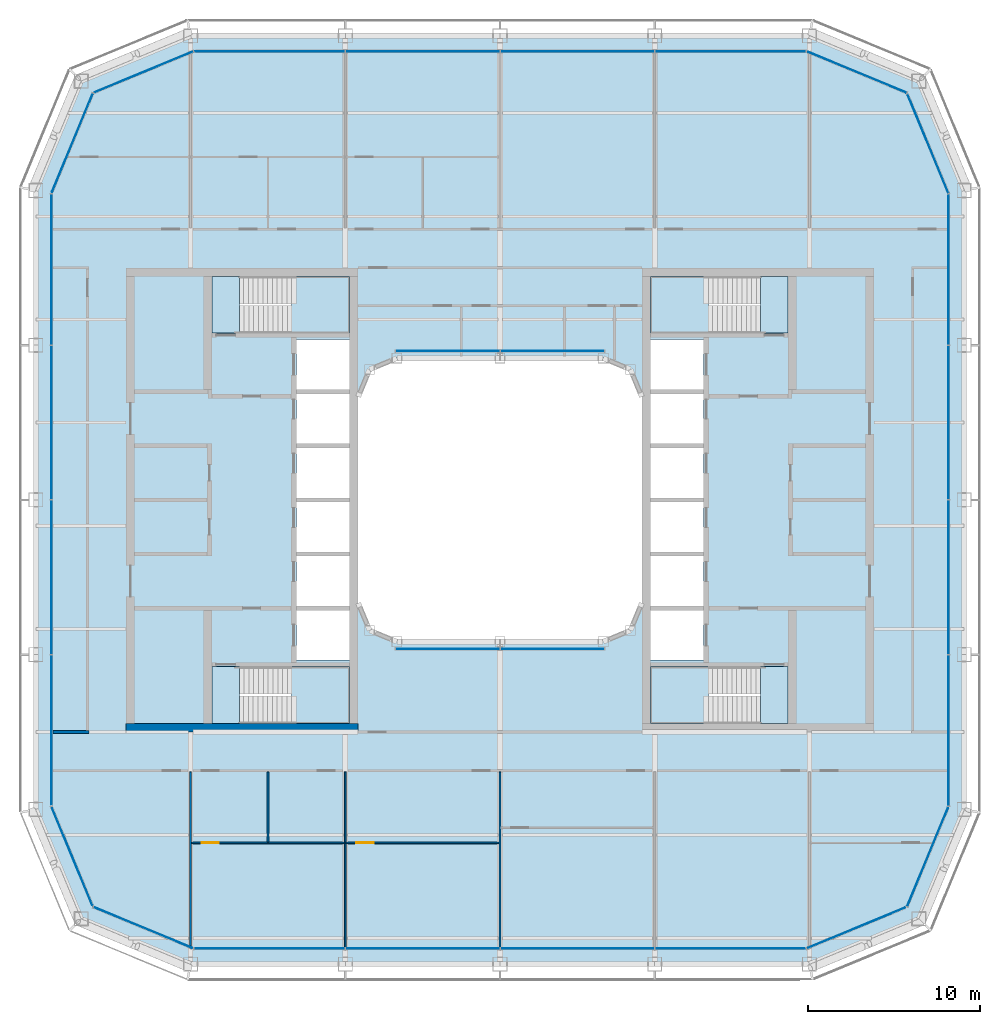
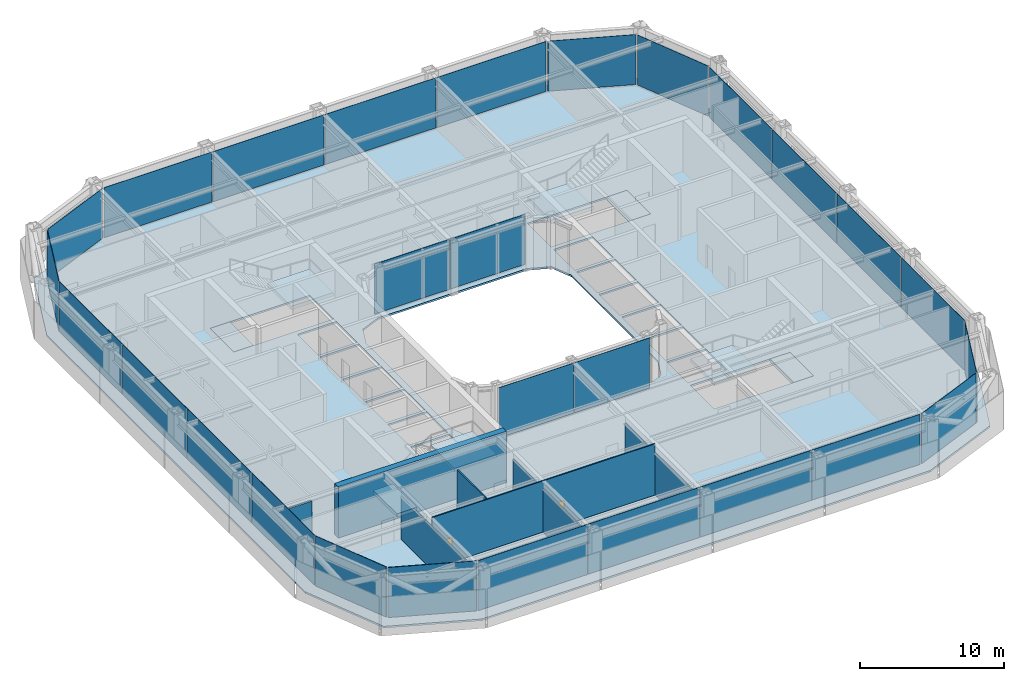
# One storey, part 11 of 19: 28 plates, 9 slabs, 8 walls, 2 doors, 2 openings, 18 elements without a shape of their own.
"""IFC4 building model written with IfcOpenShell, lengths in metres."""

import ifcopenshell
import ifcopenshell.guid

model = None  # the IFC model being written
_history = None  # IfcOwnerHistory: only IFC2X3 demands one
_inside = {}  # id of a spatial element -> (the spatial element, [elements in it])
_under = {}  # id of a project, library or spatial element -> (it, [spatial elements below it])
_declared = {}  # id of a project -> (the project, [libraries it declares])
_typed = {}  # id of a type object -> (the type object, [elements of that type])
_made_of = {}  # id of a material, layer set ... -> (it, [elements and type objects made of it])


def new_model(schema):
    """Start an empty IFC model of exactly this schema.

    Asked for "IFC4X3", IfcOpenShell would pick the latest addendum, in which some entities
    have other attributes; the version numbers below select the first issue.
    IFC2X3 requires an IfcOwnerHistory on every rooted entity: one is made here for all.
    """
    global model, _history
    if schema == "IFC4X3":
        model = ifcopenshell.file(schema_version=(4, 3, 0, 0))
    else:
        model = ifcopenshell.file(schema=schema)
    _inside.clear()
    _under.clear()
    _declared.clear()
    _typed.clear()
    _made_of.clear()
    _history = None
    if model.schema == "IFC2X3":
        org = make("IfcOrganization", Name="unknown")
        user = make(
            "IfcPersonAndOrganization",
            ThePerson=make("IfcPerson", FamilyName="unknown"),
            TheOrganization=org,
        )
        app = make(
            "IfcApplication",
            ApplicationDeveloper=org,
            Version="unknown",
            ApplicationFullName="unknown",
            ApplicationIdentifier="unknown",
        )
        _history = make(
            "IfcOwnerHistory",
            OwningUser=user,
            OwningApplication=app,
            ChangeAction="ADDED",
            CreationDate=0,
        )
    return model


def make(cls, **values):
    """One entity of the class cls with the attributes given. An attribute that is None is left unset."""
    return model.create_entity(
        cls, **{name: value for name, value in values.items() if value is not None}
    )


def rooted(cls, **values):
    """An entity with a GlobalId (a new one), such as an element, a storey or a relation."""
    return make(cls, GlobalId=ifcopenshell.guid.new(), OwnerHistory=_history, **values)


def si_unit(unit_type, name, prefix=None):
    """IfcSIUnit, for example si_unit("LENGTHUNIT", "METRE", prefix="MILLI")."""
    return make("IfcSIUnit", UnitType=unit_type, Prefix=prefix, Name=name)


def assignment(units):
    """IfcUnitAssignment: the units of a project."""
    return None if units is None else make("IfcUnitAssignment", Units=units)


def point(xyz):
    """IfcCartesianPoint."""
    return None if xyz is None else make("IfcCartesianPoint", Coordinates=xyz)


def direction(xyz):
    """IfcDirection."""
    return None if xyz is None else make("IfcDirection", DirectionRatios=xyz)


def frame(location, z_axis=None, x_axis=None):
    """IfcAxis2Placement3D, a coordinate frame: its origin and axes. An axis left out is left unset."""
    return make(
        "IfcAxis2Placement3D",
        Location=point(location),
        Axis=direction(z_axis),
        RefDirection=direction(x_axis),
    )


def frame_2d(location, x_axis=None):
    """IfcAxis2Placement2D, a coordinate frame in the plane: its origin and x axis."""
    return make(
        "IfcAxis2Placement2D", Location=point(location), RefDirection=direction(x_axis)
    )


def origin():
    """The frame at (0, 0, 0) with its axes left unset."""
    return frame((0.0, 0.0, 0.0))


def origin_2d():
    """The frame at (0, 0) in the plane with its x axis left unset."""
    return frame_2d((0.0, 0.0))


def place(relative_to, where):
    """IfcLocalPlacement: puts the frame where relative to a parent placement (None: the world)."""
    return make(
        "IfcLocalPlacement", PlacementRelTo=relative_to, RelativePlacement=where
    )


def context(
    kind, dimensions, precision=None, world=None, true_north=None, identifier=None
):
    """IfcGeometricRepresentationContext, for example the 3D "Model" context."""
    return make(
        "IfcGeometricRepresentationContext",
        ContextIdentifier=identifier,
        ContextType=kind,
        CoordinateSpaceDimension=dimensions,
        Precision=precision,
        WorldCoordinateSystem=world,
        TrueNorth=true_north,
    )


def subcontext(parent, identifier, kind, view, scale=None):
    """IfcGeometricRepresentationSubContext, for example "Body" below "Model"."""
    return make(
        "IfcGeometricRepresentationSubContext",
        ContextIdentifier=identifier,
        ContextType=kind,
        ParentContext=parent,
        TargetScale=scale,
        TargetView=view,
    )


def project(units=None, contexts=None):
    """IfcProject with its units and contexts."""
    return rooted(
        "IfcProject",
        Name="project",
        RepresentationContexts=contexts,
        UnitsInContext=assignment(units),
    )


def spatial(cls, under=None, at=None, **own):
    """A site, building, storey or space (cls), placed at a placement, below another one or the project."""
    s = rooted(cls, ObjectPlacement=at, **own)
    if under is not None:
        _under.setdefault(under.id(), (under, []))[1].append(s)
    return s


def polyline(points):
    """IfcPolyline through the points."""
    return make("IfcPolyline", Points=[point(p) for p in points])


def profile(cls, at=None, kind="AREA", **sizes):
    """A parametric profile (cls). Its sizes go by their IFC names, for example OverallWidth=200.0."""
    return make(cls, ProfileType=kind, Position=at, **sizes)


def rectangle(**sizes):
    """IfcRectangleProfileDef."""
    return profile("IfcRectangleProfileDef", **sizes)


def outline(outer, holes=None, kind="AREA"):
    """IfcArbitraryClosedProfileDef: a profile drawn as a closed curve; with holes, ...WithVoids."""
    if holes is None:
        return make("IfcArbitraryClosedProfileDef", ProfileType=kind, OuterCurve=outer)
    return make(
        "IfcArbitraryProfileDefWithVoids",
        ProfileType=kind,
        OuterCurve=outer,
        InnerCurves=holes,
    )


def extrude(swept, where, along, depth):
    """IfcExtrudedAreaSolid: the profile swept, set in the frame where, extruded along a direction by depth."""
    return make(
        "IfcExtrudedAreaSolid",
        SweptArea=swept,
        Position=where,
        ExtrudedDirection=direction(along),
        Depth=depth,
    )


def shape(context_of_items, identifier, shape_type, items):
    """IfcShapeRepresentation: the items that make up one representation, for example the "Body"."""
    return make(
        "IfcShapeRepresentation",
        ContextOfItems=context_of_items,
        RepresentationIdentifier=identifier,
        RepresentationType=shape_type,
        Items=items,
    )


def material(Name=None, Category=None):
    """IfcMaterial."""
    return make("IfcMaterial", Name=Name, Category=Category)


def layer(
    of_material, thickness, ventilated=None, Name=None, Category=None, Priority=None
):
    """IfcMaterialLayer: one layer of a wall or slab, of a material (None: an air gap)."""
    return make(
        "IfcMaterialLayer",
        Material=of_material,
        LayerThickness=thickness,
        IsVentilated=ventilated,
        Name=Name,
        Category=Category,
        Priority=Priority,
    )


def layer_set(layers, Name=None):
    """IfcMaterialLayerSet."""
    return make("IfcMaterialLayerSet", MaterialLayers=layers, LayerSetName=Name)


def made_of(thing, what):
    """Note that an element or type object is made of a material, layer set ...; save() writes the relation."""
    if what is not None:
        _made_of.setdefault(what.id(), (what, []))[1].append(thing)
    return thing


def type_object(cls, material=None, **own):
    """A type object (cls), such as IfcWallType, which elements share."""
    return made_of(rooted(cls, **own), material)


def element(
    cls,
    number,
    at=None,
    inside=None,
    cuts=None,
    type_object=None,
    material=None,
    context=None,
    identifier="Body",
    shape_type=None,
    held_by="IfcProductDefinitionShape",
    body=None,
    shapes=None,
    **own,
):
    """One element of the class cls, such as IfcWall. Its Tag is "e" and its number.

    at: its placement. inside: the storey or other place that contains it. cuts: it is an
    opening in that element (IfcRelVoidsElement). A single representation is given by context,
    identifier, shape_type and body (its items); several are given by shapes. held_by: the class
    of the entity that holds the representations. save() writes the other relations.
    """
    e = rooted(cls, Tag="e%d" % number, ObjectPlacement=at, **own)
    if body is not None:
        shapes = [shape(context, identifier, shape_type, body)]
    if shapes is not None:
        e.Representation = make(held_by, Representations=shapes)
    if inside is not None:
        _inside.setdefault(inside.id(), (inside, []))[1].append(e)
    if cuts is not None:
        rooted(
            "IfcRelVoidsElement", RelatingBuildingElement=cuts, RelatedOpeningElement=e
        )
    if type_object is not None:
        _typed.setdefault(type_object.id(), (type_object, []))[1].append(e)
    return made_of(e, material)


def fill(opening, filler):
    """IfcRelFillsElement: the door or window that sits in an opening."""
    return rooted(
        "IfcRelFillsElement",
        RelatingOpeningElement=opening,
        RelatedBuildingElement=filler,
    )


def aggregate(whole, parts):
    """IfcRelAggregates: a whole, such as a stair, and the parts it consists of."""
    return rooted("IfcRelAggregates", RelatingObject=whole, RelatedObjects=parts)


def save(model, path):
    """Write the relations noted so far, then the file.

    IfcRelAggregates (storeys below a building ...), IfcRelContainedInSpatialStructure (elements
    in a storey), IfcRelDefinesByType, IfcRelAssociatesMaterial and IfcRelDeclares: one each for
    every whole, place, type object, material and project.
    """
    for whole, parts in _under.values():
        aggregate(whole, parts)
    for where, things in _inside.values():
        rooted(
            "IfcRelContainedInSpatialStructure",
            RelatedElements=things,
            RelatingStructure=where,
        )
    for kind, things in _typed.values():
        rooted("IfcRelDefinesByType", RelatedObjects=things, RelatingType=kind)
    for what, things in _made_of.values():
        rooted("IfcRelAssociatesMaterial", RelatedObjects=things, RelatingMaterial=what)
    for by, libraries in _declared.values():
        rooted("IfcRelDeclares", RelatingContext=by, RelatedDefinitions=libraries)
    model.write(path)


model = new_model("IFC4")

# Units and contexts
model_context = context("Model", 3, precision=1e-05, world=origin(), true_north=direction((0.0, 1.0)))
body_context = subcontext(model_context, "Body", "Model", "MODEL_VIEW")
ifc_project = project(units=[si_unit("LENGTHUNIT", "METRE"), si_unit("AREAUNIT", "SQUARE_METRE"), si_unit("VOLUMEUNIT", "CUBIC_METRE"), si_unit("PLANEANGLEUNIT", "RADIAN"), si_unit("MASSUNIT", "GRAM", prefix="KILO")], contexts=[model_context])

# Site, building, storey
site_placement = place(None, origin())
site = spatial("IfcSite", under=ifc_project, at=site_placement, CompositionType="ELEMENT")
building_placement = place(site_placement, origin())
building = spatial("IfcBuilding", under=site, at=building_placement, Name="Siwar Civic Tower", CompositionType="ELEMENT")
storey_placement = place(building_placement, frame((0.0, 0.0, 228.699951171875)))
storey = spatial("IfcBuildingStorey", under=building, at=storey_placement, Name="L49", CompositionType="ELEMENT", Elevation=228.699951171875)

# Stair, slabs
ifc_material_1 = material(Name="Concrete C40/50", Category="concrete")
stair_type = type_object("IfcStairType", Name="CORE-STAIR", PredefinedType="TWO_STRAIGHT_RUN_STAIR", material=ifc_material_1)
stair_1_placement = place(storey_placement, origin())
stair_1 = element("IfcStair", 1, at=stair_1_placement, inside=storey, type_object=stair_type, Name="Exit stair ST1", PredefinedType="TWO_STRAIGHT_RUN_STAIR")
ifc_material_2 = material(Name="Concrete C40/50", Category="concrete")
ifc_layer_1 = layer(ifc_material_2, 0.300048828125)
ifc_layer_set_1 = layer_set([ifc_layer_1], Name="Concrete C40/50")
slab_type_1 = type_object("IfcSlabType", Name="CORE-STAIR-LANDING", PredefinedType="LANDING", material=ifc_layer_set_1)
slab_1_placement = place(storey_placement, frame((0.0, 0.0, -0.300048828125)))
slab_1 = element("IfcSlab", 2, at=slab_1_placement, type_object=slab_type_1, Name="ST1 landing 1", PredefinedType="LANDING", context=body_context, shape_type="SweptSolid", body=[
    extrude(outline(polyline([(-15.14990234375, 13.0), (-16.75, 13.0), (-16.75, 9.699951171875), (-15.14990234375, 9.699951171875), (-15.14990234375, 13.0)])), origin(), (0.0, 0.0, 1.0), 0.300048828125),
])
slab_2_placement = place(storey_placement, frame((0.0, 0.0, 1.949951171875)))
slab_2 = element("IfcSlab", 3, at=slab_2_placement, type_object=slab_type_1, Name="ST1 landing 2", PredefinedType="LANDING", context=body_context, shape_type="SweptSolid", body=[
    extrude(outline(polyline([(-8.75, 13.0), (-12.139892578125, 13.0), (-12.139892578125, 9.699951171875), (-8.75, 9.699951171875), (-8.75, 13.0)])), origin(), (0.0, 0.0, 1.0), 0.300048828125),
])
aggregate(stair_1, [slab_1, slab_2])

stair_2_placement = place(storey_placement, origin())
stair_2 = element("IfcStair", 4, at=stair_2_placement, inside=storey, type_object=stair_type, Name="Exit stair ST2", PredefinedType="TWO_STRAIGHT_RUN_STAIR")
slab_3_placement = place(storey_placement, frame((0.0, 0.0, -0.300048828125)))
slab_3 = element("IfcSlab", 5, at=slab_3_placement, type_object=slab_type_1, Name="ST2 landing 1", PredefinedType="LANDING", context=body_context, shape_type="SweptSolid", body=[
    extrude(outline(polyline([(-15.14990234375, -9.699951171875), (-16.75, -9.699951171875), (-16.75, -13.0), (-15.14990234375, -13.0), (-15.14990234375, -9.699951171875)])), origin(), (0.0, 0.0, 1.0), 0.300048828125),
])
slab_4_placement = place(storey_placement, frame((0.0, 0.0, 1.949951171875)))
slab_4 = element("IfcSlab", 6, at=slab_4_placement, type_object=slab_type_1, Name="ST2 landing 2", PredefinedType="LANDING", context=body_context, shape_type="SweptSolid", body=[
    extrude(outline(polyline([(-8.75, -9.699951171875), (-12.139892578125, -9.699951171875), (-12.139892578125, -13.0), (-8.75, -13.0), (-8.75, -9.699951171875)])), origin(), (0.0, 0.0, 1.0), 0.300048828125),
])
aggregate(stair_2, [slab_3, slab_4])

stair_3_placement = place(storey_placement, origin())
stair_3 = element("IfcStair", 7, at=stair_3_placement, inside=storey, type_object=stair_type, Name="Exit stair ST3", PredefinedType="TWO_STRAIGHT_RUN_STAIR")
slab_5_placement = place(storey_placement, frame((0.0, 0.0, -0.300048828125)))
slab_5 = element("IfcSlab", 8, at=slab_5_placement, type_object=slab_type_1, Name="ST3 landing 1", PredefinedType="LANDING", context=body_context, shape_type="SweptSolid", body=[
    extrude(outline(polyline([(15.14990234375, 9.699951171875), (16.75, 9.699951171875), (16.75, 13.0), (15.14990234375, 13.0), (15.14990234375, 9.699951171875)])), origin(), (0.0, 0.0, 1.0), 0.300048828125),
])
slab_6_placement = place(storey_placement, frame((0.0, 0.0, 1.949951171875)))
slab_6 = element("IfcSlab", 9, at=slab_6_placement, type_object=slab_type_1, Name="ST3 landing 2", PredefinedType="LANDING", context=body_context, shape_type="SweptSolid", body=[
    extrude(outline(polyline([(8.75, 9.699951171875), (12.139892578125, 9.699951171875), (12.139892578125, 13.0), (8.75, 13.0), (8.75, 9.699951171875)])), origin(), (0.0, 0.0, 1.0), 0.300048828125),
])
aggregate(stair_3, [slab_5, slab_6])

stair_4_placement = place(storey_placement, origin())
stair_4 = element("IfcStair", 10, at=stair_4_placement, inside=storey, type_object=stair_type, Name="Exit stair ST4", PredefinedType="TWO_STRAIGHT_RUN_STAIR")
slab_7_placement = place(storey_placement, frame((0.0, 0.0, -0.300048828125)))
slab_7 = element("IfcSlab", 11, at=slab_7_placement, type_object=slab_type_1, Name="ST4 landing 1", PredefinedType="LANDING", context=body_context, shape_type="SweptSolid", body=[
    extrude(outline(polyline([(15.14990234375, -13.0), (16.75, -13.0), (16.75, -9.699951171875), (15.14990234375, -9.699951171875), (15.14990234375, -13.0)])), origin(), (0.0, 0.0, 1.0), 0.300048828125),
])
slab_8_placement = place(storey_placement, frame((0.0, 0.0, 1.949951171875)))
slab_8 = element("IfcSlab", 12, at=slab_8_placement, type_object=slab_type_1, Name="ST4 landing 2", PredefinedType="LANDING", context=body_context, shape_type="SweptSolid", body=[
    extrude(outline(polyline([(8.75, -13.0), (12.139892578125, -13.0), (12.139892578125, -9.699951171875), (8.75, -9.699951171875), (8.75, -13.0)])), origin(), (0.0, 0.0, 1.0), 0.300048828125),
])
aggregate(stair_4, [slab_7, slab_8])

# Curtain wall, plates
ifc_material_3 = material(Name="Aluminium and glass", Category="aluminium")
ifc_layer_2 = layer(ifc_material_3, 0.179931640625)
ifc_layer_set_2 = layer_set([ifc_layer_2], Name="Aluminium and glass")
curtain_wall_type_1 = type_object("IfcCurtainWallType", Name="ENV-CW-C", PredefinedType="NOTDEFINED", material=ifc_layer_set_2)
curtain_wall_1_placement = place(storey_placement, origin())
curtain_wall_1 = element("IfcCurtainWall", 13, at=curtain_wall_1_placement, inside=storey, type_object=curtain_wall_type_1, Name="Curtain wall C S", PredefinedType="NOTDEFINED")
ifc_material_4 = material(Name="Glass clear laminated", Category="glass")
ifc_layer_3 = layer(ifc_material_4, 0.031982421875)
ifc_layer_set_3 = layer_set([ifc_layer_3], Name="Glass clear laminated")
plate_type_1 = type_object("IfcPlateType", Name="ENV-PANEL-C", PredefinedType="CURTAIN_PANEL", material=ifc_layer_set_3)
plate_1_placement = place(storey_placement, frame((-13.410400390625, -26.10009765625, 0.10009765625), z_axis=(0.0, 0.0, 1.0), x_axis=(1.0, 0.0, 0.0)))
plate_1 = element("IfcPlate", 14, at=plate_1_placement, type_object=plate_type_1, Name="Curtain panel C S 1", PredefinedType="CURTAIN_PANEL", context=body_context, shape_type="SweptSolid", body=[
    extrude(rectangle(XDim=8.760986328125, YDim=0.031982421875, at=origin_2d()), origin(), (0.0, 0.0, 1.0), 4.25),
])
plate_2_placement = place(storey_placement, frame((-4.5, -26.10009765625, 0.10009765625), z_axis=(0.0, 0.0, 1.0), x_axis=(1.0, 0.0, 0.0)))
plate_2 = element("IfcPlate", 15, at=plate_2_placement, type_object=plate_type_1, Name="Curtain panel C S 2", PredefinedType="CURTAIN_PANEL", context=body_context, shape_type="SweptSolid", body=[
    extrude(rectangle(XDim=8.93994140625, YDim=0.031982421875, at=origin_2d()), origin(), (0.0, 0.0, 1.0), 4.25),
])
plate_3_placement = place(storey_placement, frame((4.5, -26.10009765625, 0.10009765625), z_axis=(0.0, 0.0, 1.0), x_axis=(1.0, 0.0, 0.0)))
plate_3 = element("IfcPlate", 16, at=plate_3_placement, type_object=plate_type_1, Name="Curtain panel C S 3", PredefinedType="CURTAIN_PANEL", context=body_context, shape_type="SweptSolid", body=[
    extrude(rectangle(XDim=8.93994140625, YDim=0.031982421875, at=origin_2d()), origin(), (0.0, 0.0, 1.0), 4.25),
])
plate_4_placement = place(storey_placement, frame((13.373046875, -26.10009765625, 0.10009765625), z_axis=(0.0, 0.0, 1.0), x_axis=(1.0, 0.0, 0.0)))
plate_4 = element("IfcPlate", 17, at=plate_4_placement, type_object=plate_type_1, Name="Curtain panel C S 4", PredefinedType="CURTAIN_PANEL", context=body_context, shape_type="SweptSolid", body=[
    extrude(rectangle(XDim=8.68603515625, YDim=0.031982421875, at=origin_2d()), origin(), (0.0, 0.0, 1.0), 4.25),
])
aggregate(curtain_wall_1, [plate_1, plate_2, plate_3, plate_4])

curtain_wall_2_placement = place(storey_placement, origin())
curtain_wall_2 = element("IfcCurtainWall", 18, at=curtain_wall_2_placement, inside=storey, type_object=curtain_wall_type_1, Name="Curtain wall C E", PredefinedType="NOTDEFINED")
plate_5_placement = place(storey_placement, frame((26.10009765625, -13.410400390625, 0.10009765625), z_axis=(0.0, 0.0, 1.0), x_axis=(0.0, 1.0, 0.0)))
plate_5 = element("IfcPlate", 19, at=plate_5_placement, type_object=plate_type_1, Name="Curtain panel C E 1", PredefinedType="CURTAIN_PANEL", context=body_context, shape_type="SweptSolid", body=[
    extrude(rectangle(XDim=8.760986328125, YDim=0.031982421875, at=origin_2d()), origin(), (0.0, 0.0, 1.0), 4.25),
])
plate_6_placement = place(storey_placement, frame((26.10009765625, -4.5, 0.10009765625), z_axis=(0.0, 0.0, 1.0), x_axis=(0.0, 1.0, 0.0)))
plate_6 = element("IfcPlate", 20, at=plate_6_placement, type_object=plate_type_1, Name="Curtain panel C E 2", PredefinedType="CURTAIN_PANEL", context=body_context, shape_type="SweptSolid", body=[
    extrude(rectangle(XDim=8.93994140625, YDim=0.031982421875, at=origin_2d()), origin(), (0.0, 0.0, 1.0), 4.25),
])
plate_7_placement = place(storey_placement, frame((26.10009765625, 4.5, 0.10009765625), z_axis=(0.0, 0.0, 1.0), x_axis=(0.0, 1.0, 0.0)))
plate_7 = element("IfcPlate", 21, at=plate_7_placement, type_object=plate_type_1, Name="Curtain panel C E 3", PredefinedType="CURTAIN_PANEL", context=body_context, shape_type="SweptSolid", body=[
    extrude(rectangle(XDim=8.93994140625, YDim=0.031982421875, at=origin_2d()), origin(), (0.0, 0.0, 1.0), 4.25),
])
plate_8_placement = place(storey_placement, frame((26.10009765625, 13.373046875, 0.10009765625), z_axis=(0.0, 0.0, 1.0), x_axis=(0.0, 1.0, 0.0)))
plate_8 = element("IfcPlate", 22, at=plate_8_placement, type_object=plate_type_1, Name="Curtain panel C E 4", PredefinedType="CURTAIN_PANEL", context=body_context, shape_type="SweptSolid", body=[
    extrude(rectangle(XDim=8.68603515625, YDim=0.031982421875, at=origin_2d()), origin(), (0.0, 0.0, 1.0), 4.25),
])
aggregate(curtain_wall_2, [plate_5, plate_6, plate_7, plate_8])

curtain_wall_3_placement = place(storey_placement, origin())
curtain_wall_3 = element("IfcCurtainWall", 23, at=curtain_wall_3_placement, inside=storey, type_object=curtain_wall_type_1, Name="Curtain wall C N", PredefinedType="NOTDEFINED")
plate_9_placement = place(storey_placement, frame((13.410400390625, 26.10009765625, 0.10009765625), z_axis=(0.0, 0.0, 1.0), x_axis=(-1.0, 0.0, 0.0)))
plate_9 = element("IfcPlate", 24, at=plate_9_placement, type_object=plate_type_1, Name="Curtain panel C N 1", PredefinedType="CURTAIN_PANEL", context=body_context, shape_type="SweptSolid", body=[
    extrude(rectangle(XDim=8.760986328125, YDim=0.031982421875, at=origin_2d()), origin(), (0.0, 0.0, 1.0), 4.25),
])
plate_10_placement = place(storey_placement, frame((4.5, 26.10009765625, 0.10009765625), z_axis=(0.0, 0.0, 1.0), x_axis=(-1.0, 0.0, 0.0)))
plate_10 = element("IfcPlate", 25, at=plate_10_placement, type_object=plate_type_1, Name="Curtain panel C N 2", PredefinedType="CURTAIN_PANEL", context=body_context, shape_type="SweptSolid", body=[
    extrude(rectangle(XDim=8.93994140625, YDim=0.031982421875, at=origin_2d()), origin(), (0.0, 0.0, 1.0), 4.25),
])
plate_11_placement = place(storey_placement, frame((-4.5, 26.10009765625, 0.10009765625), z_axis=(0.0, 0.0, 1.0), x_axis=(-1.0, 0.0, 0.0)))
plate_11 = element("IfcPlate", 26, at=plate_11_placement, type_object=plate_type_1, Name="Curtain panel C N 3", PredefinedType="CURTAIN_PANEL", context=body_context, shape_type="SweptSolid", body=[
    extrude(rectangle(XDim=8.93994140625, YDim=0.031982421875, at=origin_2d()), origin(), (0.0, 0.0, 1.0), 4.25),
])
plate_12_placement = place(storey_placement, frame((-13.373046875, 26.10009765625, 0.10009765625), z_axis=(0.0, 0.0, 1.0), x_axis=(-1.0, 0.0, 0.0)))
plate_12 = element("IfcPlate", 27, at=plate_12_placement, type_object=plate_type_1, Name="Curtain panel C N 4", PredefinedType="CURTAIN_PANEL", context=body_context, shape_type="SweptSolid", body=[
    extrude(rectangle(XDim=8.68603515625, YDim=0.031982421875, at=origin_2d()), origin(), (0.0, 0.0, 1.0), 4.25),
])
aggregate(curtain_wall_3, [plate_9, plate_10, plate_11, plate_12])

curtain_wall_4_placement = place(storey_placement, origin())
curtain_wall_4 = element("IfcCurtainWall", 28, at=curtain_wall_4_placement, inside=storey, type_object=curtain_wall_type_1, Name="Curtain wall C W", PredefinedType="NOTDEFINED")
plate_13_placement = place(storey_placement, frame((-26.10009765625, 13.410400390625, 0.10009765625), z_axis=(0.0, 0.0, 1.0), x_axis=(0.0, -1.0, 0.0)))
plate_13 = element("IfcPlate", 29, at=plate_13_placement, type_object=plate_type_1, Name="Curtain panel C W 1", PredefinedType="CURTAIN_PANEL", context=body_context, shape_type="SweptSolid", body=[
    extrude(rectangle(XDim=8.760986328125, YDim=0.031982421875, at=origin_2d()), origin(), (0.0, 0.0, 1.0), 4.25),
])
plate_14_placement = place(storey_placement, frame((-26.10009765625, 4.5, 0.10009765625), z_axis=(0.0, 0.0, 1.0), x_axis=(0.0, -1.0, 0.0)))
plate_14 = element("IfcPlate", 30, at=plate_14_placement, type_object=plate_type_1, Name="Curtain panel C W 2", PredefinedType="CURTAIN_PANEL", context=body_context, shape_type="SweptSolid", body=[
    extrude(rectangle(XDim=8.93994140625, YDim=0.031982421875, at=origin_2d()), origin(), (0.0, 0.0, 1.0), 4.25),
])
plate_15_placement = place(storey_placement, frame((-26.10009765625, -4.5, 0.10009765625), z_axis=(0.0, 0.0, 1.0), x_axis=(0.0, -1.0, 0.0)))
plate_15 = element("IfcPlate", 31, at=plate_15_placement, type_object=plate_type_1, Name="Curtain panel C W 3", PredefinedType="CURTAIN_PANEL", context=body_context, shape_type="SweptSolid", body=[
    extrude(rectangle(XDim=8.93994140625, YDim=0.031982421875, at=origin_2d()), origin(), (0.0, 0.0, 1.0), 4.25),
])
plate_16_placement = place(storey_placement, frame((-26.10009765625, -13.373046875, 0.10009765625), z_axis=(0.0, 0.0, 1.0), x_axis=(0.0, -1.0, 0.0)))
plate_16 = element("IfcPlate", 32, at=plate_16_placement, type_object=plate_type_1, Name="Curtain panel C W 4", PredefinedType="CURTAIN_PANEL", context=body_context, shape_type="SweptSolid", body=[
    extrude(rectangle(XDim=8.68603515625, YDim=0.031982421875, at=origin_2d()), origin(), (0.0, 0.0, 1.0), 4.25),
])
aggregate(curtain_wall_4, [plate_13, plate_14, plate_15, plate_16])

# Curtain wall, plate
ifc_material_5 = material(Name="Aluminium clad insulated panel", Category="aluminium")
ifc_layer_4 = layer(ifc_material_5, 0.179931640625)
ifc_layer_set_4 = layer_set([ifc_layer_4], Name="Aluminium clad insulated panel")
curtain_wall_type_2 = type_object("IfcCurtainWallType", Name="ENV-CW-CX", PredefinedType="NOTDEFINED", material=ifc_layer_set_4)
curtain_wall_5_placement = place(storey_placement, origin())
curtain_wall_5 = element("IfcCurtainWall", 33, at=curtain_wall_5_placement, inside=storey, type_object=curtain_wall_type_2, Name="Curtain wall C SE1", PredefinedType="NOTDEFINED")
ifc_material_6 = material(Name="Aluminium clad insulated panel", Category="aluminium")
ifc_layer_5 = layer(ifc_material_6, 0.031982421875)
ifc_layer_set_5 = layer_set([ifc_layer_5], Name="Aluminium clad insulated panel")
plate_type_2 = type_object("IfcPlateType", Name="ENV-PANEL-CX", PredefinedType="CURTAIN_PANEL", material=ifc_layer_set_5)
plate_17_placement = place(storey_placement, frame((20.71337890625, -24.90185546875, 0.10009765625), z_axis=(0.0, 0.0, 1.0), x_axis=(0.923879532511, 0.382683432365, 0.0)))
plate_17 = element("IfcPlate", 34, at=plate_17_placement, type_object=plate_type_2, Name="Curtain panel C SE1 1", PredefinedType="CURTAIN_PANEL", context=body_context, shape_type="SweptSolid", body=[
    extrude(rectangle(XDim=6.20166015625, YDim=0.031982421875, at=origin_2d()), origin(), (0.0, 0.0, 1.0), 4.25),
])
aggregate(curtain_wall_5, [plate_17])

curtain_wall_6_placement = place(storey_placement, origin())
curtain_wall_6 = element("IfcCurtainWall", 35, at=curtain_wall_6_placement, inside=storey, type_object=curtain_wall_type_2, Name="Curtain wall C SE2", PredefinedType="NOTDEFINED")
plate_18_placement = place(storey_placement, frame((24.873291015625, -20.78271484375, 0.10009765625), z_axis=(0.0, 0.0, 1.0), x_axis=(0.382683432365, 0.923879532511, 0.0)))
plate_18 = element("IfcPlate", 36, at=plate_18_placement, type_object=plate_type_2, Name="Curtain panel C SE2 1", PredefinedType="CURTAIN_PANEL", context=body_context, shape_type="SweptSolid", body=[
    extrude(rectangle(XDim=6.20166015625, YDim=0.031982421875, at=origin_2d()), origin(), (0.0, 0.0, 1.0), 4.25),
])
aggregate(curtain_wall_6, [plate_18])

curtain_wall_7_placement = place(storey_placement, origin())
curtain_wall_7 = element("IfcCurtainWall", 37, at=curtain_wall_7_placement, inside=storey, type_object=curtain_wall_type_2, Name="Curtain wall C NE1", PredefinedType="NOTDEFINED")
plate_19_placement = place(storey_placement, frame((24.90185546875, 20.71337890625, 0.10009765625), z_axis=(0.0, 0.0, 1.0), x_axis=(-0.382683432365, 0.923879532511, 0.0)))
plate_19 = element("IfcPlate", 38, at=plate_19_placement, type_object=plate_type_2, Name="Curtain panel C NE1 1", PredefinedType="CURTAIN_PANEL", context=body_context, shape_type="SweptSolid", body=[
    extrude(rectangle(XDim=6.20166015625, YDim=0.031982421875, at=origin_2d()), origin(), (0.0, 0.0, 1.0), 4.25),
])
aggregate(curtain_wall_7, [plate_19])

curtain_wall_8_placement = place(storey_placement, origin())
curtain_wall_8 = element("IfcCurtainWall", 39, at=curtain_wall_8_placement, inside=storey, type_object=curtain_wall_type_2, Name="Curtain wall C NE2", PredefinedType="NOTDEFINED")
plate_20_placement = place(storey_placement, frame((20.78271484375, 24.873291015625, 0.10009765625), z_axis=(0.0, 0.0, 1.0), x_axis=(-0.923879532511, 0.382683432365, 0.0)))
plate_20 = element("IfcPlate", 40, at=plate_20_placement, type_object=plate_type_2, Name="Curtain panel C NE2 1", PredefinedType="CURTAIN_PANEL", context=body_context, shape_type="SweptSolid", body=[
    extrude(rectangle(XDim=6.20166015625, YDim=0.031982421875, at=origin_2d()), origin(), (0.0, 0.0, 1.0), 4.25),
])
aggregate(curtain_wall_8, [plate_20])

curtain_wall_9_placement = place(storey_placement, origin())
curtain_wall_9 = element("IfcCurtainWall", 41, at=curtain_wall_9_placement, inside=storey, type_object=curtain_wall_type_2, Name="Curtain wall C NW1", PredefinedType="NOTDEFINED")
plate_21_placement = place(storey_placement, frame((-20.71337890625, 24.90185546875, 0.10009765625), z_axis=(0.0, 0.0, 1.0), x_axis=(-0.923879532511, -0.382683432365, 0.0)))
plate_21 = element("IfcPlate", 42, at=plate_21_placement, type_object=plate_type_2, Name="Curtain panel C NW1 1", PredefinedType="CURTAIN_PANEL", context=body_context, shape_type="SweptSolid", body=[
    extrude(rectangle(XDim=6.20166015625, YDim=0.031982421875, at=origin_2d()), origin(), (0.0, 0.0, 1.0), 4.25),
])
aggregate(curtain_wall_9, [plate_21])

curtain_wall_10_placement = place(storey_placement, origin())
curtain_wall_10 = element("IfcCurtainWall", 43, at=curtain_wall_10_placement, inside=storey, type_object=curtain_wall_type_2, Name="Curtain wall C NW2", PredefinedType="NOTDEFINED")
plate_22_placement = place(storey_placement, frame((-24.873291015625, 20.78271484375, 0.10009765625), z_axis=(0.0, 0.0, 1.0), x_axis=(-0.382683432365, -0.923879532511, 0.0)))
plate_22 = element("IfcPlate", 44, at=plate_22_placement, type_object=plate_type_2, Name="Curtain panel C NW2 1", PredefinedType="CURTAIN_PANEL", context=body_context, shape_type="SweptSolid", body=[
    extrude(rectangle(XDim=6.20166015625, YDim=0.031982421875, at=origin_2d()), origin(), (0.0, 0.0, 1.0), 4.25),
])
aggregate(curtain_wall_10, [plate_22])

curtain_wall_11_placement = place(storey_placement, origin())
curtain_wall_11 = element("IfcCurtainWall", 45, at=curtain_wall_11_placement, inside=storey, type_object=curtain_wall_type_2, Name="Curtain wall C SW1", PredefinedType="NOTDEFINED")
plate_23_placement = place(storey_placement, frame((-24.90185546875, -20.71337890625, 0.10009765625), z_axis=(0.0, 0.0, 1.0), x_axis=(0.382683432365, -0.923879532511, 0.0)))
plate_23 = element("IfcPlate", 46, at=plate_23_placement, type_object=plate_type_2, Name="Curtain panel C SW1 1", PredefinedType="CURTAIN_PANEL", context=body_context, shape_type="SweptSolid", body=[
    extrude(rectangle(XDim=6.20166015625, YDim=0.031982421875, at=origin_2d()), origin(), (0.0, 0.0, 1.0), 4.25),
])
aggregate(curtain_wall_11, [plate_23])

curtain_wall_12_placement = place(storey_placement, origin())
curtain_wall_12 = element("IfcCurtainWall", 47, at=curtain_wall_12_placement, inside=storey, type_object=curtain_wall_type_2, Name="Curtain wall C SW2", PredefinedType="NOTDEFINED")
plate_24_placement = place(storey_placement, frame((-20.78271484375, -24.873291015625, 0.10009765625), z_axis=(0.0, 0.0, 1.0), x_axis=(0.923879532511, -0.382683432365, 0.0)))
plate_24 = element("IfcPlate", 48, at=plate_24_placement, type_object=plate_type_2, Name="Curtain panel C SW2 1", PredefinedType="CURTAIN_PANEL", context=body_context, shape_type="SweptSolid", body=[
    extrude(rectangle(XDim=6.20166015625, YDim=0.031982421875, at=origin_2d()), origin(), (0.0, 0.0, 1.0), 4.25),
])
aggregate(curtain_wall_12, [plate_24])

# Curtain wall, plates
ifc_material_7 = material(Name="Aluminium and glass", Category="aluminium")
ifc_layer_6 = layer(ifc_material_7, 0.179931640625)
ifc_layer_set_6 = layer_set([ifc_layer_6], Name="Aluminium and glass")
curtain_wall_type_3 = type_object("IfcCurtainWallType", Name="ENV-CW-W", PredefinedType="NOTDEFINED", material=ifc_layer_set_6)
curtain_wall_13_placement = place(storey_placement, origin())
curtain_wall_13 = element("IfcCurtainWall", 49, at=curtain_wall_13_placement, inside=storey, type_object=curtain_wall_type_3, Name="Curtain wall W WS", PredefinedType="NOTDEFINED")
ifc_material_8 = material(Name="Glass clear laminated", Category="glass")
ifc_layer_7 = layer(ifc_material_8, 0.031982421875)
ifc_layer_set_7 = layer_set([ifc_layer_7], Name="Glass clear laminated")
plate_type_3 = type_object("IfcPlateType", Name="ENV-PANEL-W", PredefinedType="CURTAIN_PANEL", material=ifc_layer_set_7)
plate_25_placement = place(storey_placement, frame((-3.040771484375, -8.659912109375, 0.10009765625), z_axis=(0.0, 0.0, 1.0), x_axis=(1.0, 0.0, 0.0)))
plate_25 = element("IfcPlate", 50, at=plate_25_placement, type_object=plate_type_3, Name="Curtain panel W WS 1", PredefinedType="CURTAIN_PANEL", context=body_context, shape_type="SweptSolid", body=[
    extrude(rectangle(XDim=6.021484375, YDim=0.031982421875, at=origin_2d()), origin(), (0.0, 0.0, 1.0), 4.25),
])
plate_26_placement = place(storey_placement, frame((3.040771484375, -8.659912109375, 0.10009765625), z_axis=(0.0, 0.0, 1.0), x_axis=(1.0, 0.0, 0.0)))
plate_26 = element("IfcPlate", 51, at=plate_26_placement, type_object=plate_type_3, Name="Curtain panel W WS 2", PredefinedType="CURTAIN_PANEL", context=body_context, shape_type="SweptSolid", body=[
    extrude(rectangle(XDim=6.021484375, YDim=0.031982421875, at=origin_2d()), origin(), (0.0, 0.0, 1.0), 4.25),
])
aggregate(curtain_wall_13, [plate_25, plate_26])

curtain_wall_14_placement = place(storey_placement, origin())
curtain_wall_14 = element("IfcCurtainWall", 52, at=curtain_wall_14_placement, inside=storey, type_object=curtain_wall_type_3, Name="Curtain wall W WN", PredefinedType="NOTDEFINED")
plate_27_placement = place(storey_placement, frame((3.040771484375, 8.659912109375, 0.10009765625), z_axis=(0.0, 0.0, 1.0), x_axis=(-1.0, 0.0, 0.0)))
plate_27 = element("IfcPlate", 53, at=plate_27_placement, type_object=plate_type_3, Name="Curtain panel W WN 1", PredefinedType="CURTAIN_PANEL", context=body_context, shape_type="SweptSolid", body=[
    extrude(rectangle(XDim=6.021484375, YDim=0.031982421875, at=origin_2d()), origin(), (0.0, 0.0, 1.0), 4.25),
])
plate_28_placement = place(storey_placement, frame((-3.040771484375, 8.659912109375, 0.10009765625), z_axis=(0.0, 0.0, 1.0), x_axis=(-1.0, 0.0, 0.0)))
plate_28 = element("IfcPlate", 54, at=plate_28_placement, type_object=plate_type_3, Name="Curtain panel W WN 2", PredefinedType="CURTAIN_PANEL", context=body_context, shape_type="SweptSolid", body=[
    extrude(rectangle(XDim=6.021484375, YDim=0.031982421875, at=origin_2d()), origin(), (0.0, 0.0, 1.0), 4.25),
])
aggregate(curtain_wall_14, [plate_27, plate_28])

# Slab
ifc_material_9 = material(Name="Concrete C40/50", Category="concrete")
ifc_layer_8 = layer(ifc_material_9, 0.14990234375)
ifc_layer_set_8 = layer_set([ifc_layer_8], Name="Concrete C40/50")
slab_type_2 = type_object("IfcSlabType", Name="STR-FLOOR-DECK-150", PredefinedType="FLOOR", material=ifc_layer_set_8)
slab_9_placement = place(storey_placement, frame((0.0, 0.0, -0.14990234375)))
element("IfcSlab", 55, at=slab_9_placement, inside=storey, type_object=slab_type_2, Name="L49/slab/1", PredefinedType="FLOOR", context=body_context, shape_type="SweptSolid", body=[
    extrude(outline(polyline([(-18.0, -27.0), (18.0, -27.0), (24.364013671875, -24.364013671875), (27.0, -18.0), (27.0, 18.0), (24.364013671875, 24.364013671875), (18.0, 27.0), (-18.0, 27.0), (-24.364013671875, 24.364013671875), (-27.0, 18.0), (-27.0, -18.0), (-24.364013671875, -24.364013671875), (-18.0, -27.0)]), holes=[polyline([(16.75, 13.0), (16.75, 9.699951171875), (8.75, 9.699951171875), (8.75, 13.0), (16.75, 13.0)]), polyline([(8.75, -9.699951171875), (16.75, -9.699951171875), (16.75, -13.0), (8.75, -13.0), (8.75, -9.699951171875)]), polyline([(11.85009765625, 9.324951171875), (11.85009765625, 6.425048828125), (8.75, 6.425048828125), (8.75, 9.324951171875), (11.85009765625, 9.324951171875)]), polyline([(8.75, 6.175048828125), (11.85009765625, 6.175048828125), (11.85009765625, 3.27490234375), (8.75, 3.27490234375), (8.75, 6.175048828125)]), polyline([(8.75, 3.02490234375), (11.85009765625, 3.02490234375), (11.85009765625, 0.125), (8.75, 0.125), (8.75, 3.02490234375)]), polyline([(8.75, -0.125), (11.85009765625, -0.125), (11.85009765625, -3.02490234375), (8.75, -3.02490234375), (8.75, -0.125)]), polyline([(8.75, -3.27490234375), (11.85009765625, -3.27490234375), (11.85009765625, -6.175048828125), (8.75, -6.175048828125), (8.75, -3.27490234375)]), polyline([(8.75, -6.425048828125), (11.85009765625, -6.425048828125), (11.85009765625, -9.324951171875), (8.75, -9.324951171875), (8.75, -6.425048828125)]), polyline([(-6.0, 8.25), (6.0, 8.25), (7.591064453125, 7.591064453125), (8.25, 6.0), (8.25, -6.0), (7.591064453125, -7.591064453125), (6.0, -8.25), (-6.0, -8.25), (-7.591064453125, -7.591064453125), (-8.25, -6.0), (-8.25, 6.0), (-7.591064453125, 7.591064453125), (-6.0, 8.25)]), polyline([(-8.75, -13.0), (-16.75, -13.0), (-16.75, -9.699951171875), (-8.75, -9.699951171875), (-8.75, -13.0)]), polyline([(-8.75, 9.699951171875), (-16.75, 9.699951171875), (-16.75, 13.0), (-8.75, 13.0), (-8.75, 9.699951171875)]), polyline([(-8.75, 6.425048828125), (-11.85009765625, 6.425048828125), (-11.85009765625, 9.324951171875), (-8.75, 9.324951171875), (-8.75, 6.425048828125)]), polyline([(-8.75, 3.27490234375), (-11.85009765625, 3.27490234375), (-11.85009765625, 6.175048828125), (-8.75, 6.175048828125), (-8.75, 3.27490234375)]), polyline([(-8.75, 0.125), (-11.85009765625, 0.125), (-11.85009765625, 3.02490234375), (-8.75, 3.02490234375), (-8.75, 0.125)]), polyline([(-8.75, -3.02490234375), (-11.85009765625, -3.02490234375), (-11.85009765625, -0.125), (-8.75, -0.125), (-8.75, -3.02490234375)]), polyline([(-8.75, -6.175048828125), (-11.85009765625, -6.175048828125), (-11.85009765625, -3.27490234375), (-8.75, -3.27490234375), (-8.75, -6.175048828125)]), polyline([(-8.75, -9.324951171875), (-11.85009765625, -9.324951171875), (-11.85009765625, -6.425048828125), (-8.75, -6.425048828125), (-8.75, -9.324951171875)])]), origin(), (0.0, 0.0, 1.0), 0.14990234375),
])

# Walls
ifc_material_10 = material(Name="Concrete C60/75", Category="concrete")
ifc_layer_9 = layer(ifc_material_10, 0.5)
ifc_layer_set_9 = layer_set([ifc_layer_9], Name="Concrete C60/75")
wall_type_1 = type_object("IfcWallType", Name="CORE-WALL-RC500", PredefinedType="SHEAR", material=ifc_layer_set_9)
wall_1_placement = place(storey_placement, frame((-8.25, -13.25, 0.0), z_axis=(0.0, 0.0, 1.0), x_axis=(-1.0, 0.0, 0.0)))
element("IfcWall", 56, at=wall_1_placement, inside=storey, type_object=wall_type_1, Name="Core wall W", PredefinedType="SHEAR", context=body_context, shape_type="SweptSolid", body=[
    extrude(rectangle(XDim=13.5, YDim=0.5, at=frame_2d((6.75, 0.0))), origin(), (0.0, 0.0, 1.0), 4.35009765625),
])
ifc_material_11 = material(Name="Gypsum board on steel studs", Category="steel")
ifc_layer_10 = layer(ifc_material_11, 0.14990234375)
ifc_layer_set_10 = layer_set([ifc_layer_10], Name="Gypsum board on steel studs")
wall_type_2 = type_object("IfcWallType", Name="CORRIDOR PARTITION 150 EI 30", PredefinedType="PARTITIONING", material=ifc_layer_set_10)
wall_2_placement = place(storey_placement, frame((-26.010009765625, -13.5, 0.0), z_axis=(0.0, 0.0, 1.0), x_axis=(1.0, 0.0, 0.0)))
element("IfcWall", 57, at=wall_2_placement, inside=storey, type_object=wall_type_2, Name="L49/wall/P05", PredefinedType="PARTITIONING", context=body_context, shape_type="SweptSolid", body=[
    extrude(rectangle(XDim=2.0849609375, YDim=0.14990234375, at=frame_2d((1.04248046875, 0.0))), origin(), (0.0, 0.0, 1.0), 3.949951171875),
])

# Wall, openings, doors
ifc_material_12 = material(Name="Gypsum board on steel studs", Category="steel")
ifc_layer_11 = layer(ifc_material_12, 0.10009765625)
ifc_layer_set_11 = layer_set([ifc_layer_11], Name="Gypsum board on steel studs")
wall_type_3 = type_object("IfcWallType", Name="PARTITION 100 GYPSUM", PredefinedType="PARTITIONING", material=ifc_layer_set_11)
wall_3_placement = place(storey_placement, frame((-17.949951171875, -19.949951171875, 0.0), z_axis=(0.0, 0.0, 1.0), x_axis=(1.0, 0.0, 0.0)))
wall_3 = element("IfcWall", 58, at=wall_3_placement, inside=storey, type_object=wall_type_3, Name="L49/wall/P01", PredefinedType="PARTITIONING", context=body_context, shape_type="SweptSolid", body=[
    extrude(rectangle(XDim=17.89990234375, YDim=0.10009765625, at=frame_2d((8.949951171875, 0.0))), origin(), (0.0, 0.0, 1.0), 4.35009765625),
])
opening_1_placement = place(wall_3_placement, frame((0.60009765625, 0.0, 0.0)))
opening_1 = element("IfcOpeningElement", 59, at=opening_1_placement, cuts=wall_3, Name="Opening D2", PredefinedType="OPENING", context=body_context, shape_type="SweptSolid", body=[
    extrude(rectangle(XDim=1.0, YDim=2.10009765625, at=frame_2d((0.5, 1.050048828125))), frame((0.0, 0.06005859375, 0.0), z_axis=(0.0, -1.0, 0.0), x_axis=(1.0, 0.0, 0.0)), (0.0, 0.0, 1.0), 0.1201171875),
])
opening_2_placement = place(wall_3_placement, frame((9.60009765625, 0.0, 0.0)))
opening_2 = element("IfcOpeningElement", 60, at=opening_2_placement, cuts=wall_3, Name="Opening D2", PredefinedType="OPENING", context=body_context, shape_type="SweptSolid", body=[
    extrude(rectangle(XDim=1.0, YDim=2.10009765625, at=frame_2d((0.5, 1.050048828125))), frame((0.0, 0.06005859375, 0.0), z_axis=(0.0, -1.0, 0.0), x_axis=(1.0, 0.0, 0.0)), (0.0, 0.0, 1.0), 0.1201171875),
])
ifc_material_13 = material(Name="Timber, painted", Category="wood")
door_type = type_object("IfcDoorType", Name="DOOR 1000 X 2100", OperationType="SINGLE_SWING_LEFT", PredefinedType="DOOR", material=ifc_material_13)
door_1_placement = place(opening_1_placement, origin())
door_1 = element("IfcDoor", 61, at=door_1_placement, inside=storey, type_object=door_type, Name="L49-D11", OperationType="SINGLE_SWING_LEFT", OverallHeight=2.10009765625, OverallWidth=1.0, PredefinedType="DOOR", context=body_context, shape_type="SweptSolid", body=[
    extrude(rectangle(XDim=1.0, YDim=2.10009765625, at=frame_2d((0.5, 1.050048828125))), frame((0.0, 0.02490234375, 0.0), z_axis=(0.0, -1.0, 0.0), x_axis=(1.0, 0.0, 0.0)), (0.0, 0.0, 1.0), 0.050048828125),
])
fill(opening_1, door_1)
door_2_placement = place(opening_2_placement, origin())
door_2 = element("IfcDoor", 62, at=door_2_placement, inside=storey, type_object=door_type, Name="L49-D13", OperationType="SINGLE_SWING_LEFT", OverallHeight=2.10009765625, OverallWidth=1.0, PredefinedType="DOOR", context=body_context, shape_type="SweptSolid", body=[
    extrude(rectangle(XDim=1.0, YDim=2.10009765625, at=frame_2d((0.5, 1.050048828125))), frame((0.0, 0.02490234375, 0.0), z_axis=(0.0, -1.0, 0.0), x_axis=(1.0, 0.0, 0.0)), (0.0, 0.0, 1.0), 0.050048828125),
])
fill(opening_2, door_2)

# Walls
wall_4_placement = place(storey_placement, frame((-18.0, -25.927978515625, 0.0), z_axis=(0.0, 0.0, 1.0), x_axis=(0.0, 1.0, 0.0)))
element("IfcWall", 63, at=wall_4_placement, inside=storey, type_object=wall_type_3, Name="L49/wall/P16", PredefinedType="PARTITIONING", context=body_context, shape_type="SweptSolid", body=[
    extrude(rectangle(XDim=10.10302734375, YDim=0.10009765625, at=frame_2d((5.051513671875, 0.0))), origin(), (0.0, 0.0, 1.0), 3.650146484375),
])
wall_5_placement = place(storey_placement, frame((-13.5, -19.89990234375, 0.0), z_axis=(0.0, 0.0, 1.0), x_axis=(0.0, 1.0, 0.0)))
element("IfcWall", 64, at=wall_5_placement, inside=storey, type_object=wall_type_3, Name="L49/wall/P19", PredefinedType="PARTITIONING", context=body_context, shape_type="SweptSolid", body=[
    extrude(rectangle(XDim=4.074951171875, YDim=0.10009765625, at=frame_2d((2.03759765625, 0.0))), origin(), (0.0, 0.0, 1.0), 4.35009765625),
])
wall_6_placement = place(storey_placement, frame((-9.0, -26.010009765625, 0.0), z_axis=(0.0, 0.0, 1.0), x_axis=(0.0, 1.0, 0.0)))
element("IfcWall", 65, at=wall_6_placement, inside=storey, type_object=wall_type_3, Name="L49/wall/P21", PredefinedType="PARTITIONING", context=body_context, shape_type="SweptSolid", body=[
    extrude(rectangle(XDim=6.010009765625, YDim=0.10009765625, at=frame_2d((3.0048828125, 0.0))), origin(), (0.0, 0.0, 1.0), 3.650146484375),
])
wall_7_placement = place(storey_placement, frame((-9.0, -19.89990234375, 0.0), z_axis=(0.0, 0.0, 1.0), x_axis=(0.0, 1.0, 0.0)))
element("IfcWall", 66, at=wall_7_placement, inside=storey, type_object=wall_type_3, Name="L49/wall/P22", PredefinedType="PARTITIONING", context=body_context, shape_type="SweptSolid", body=[
    extrude(rectangle(XDim=4.074951171875, YDim=0.10009765625, at=frame_2d((2.03759765625, 0.0))), origin(), (0.0, 0.0, 1.0), 3.650146484375),
])
wall_8_placement = place(storey_placement, frame((0.0, -26.010009765625, 0.0), z_axis=(0.0, 0.0, 1.0), x_axis=(0.0, 1.0, 0.0)))
element("IfcWall", 67, at=wall_8_placement, inside=storey, type_object=wall_type_3, Name="L49/wall/P27", PredefinedType="PARTITIONING", context=body_context, shape_type="SweptSolid", body=[
    extrude(rectangle(XDim=10.18505859375, YDim=0.10009765625, at=frame_2d((5.092529296875, 0.0))), origin(), (0.0, 0.0, 1.0), 3.550048828125),
])

save(model, "model.ifc")
